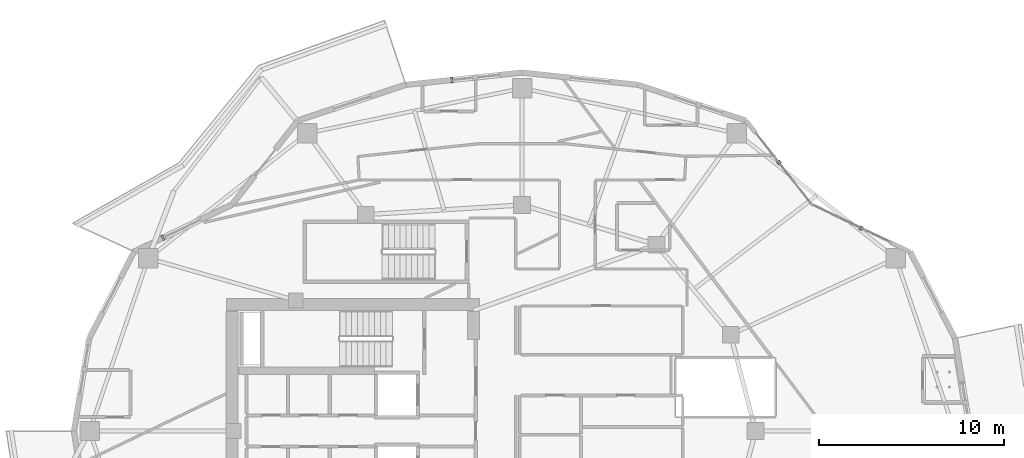
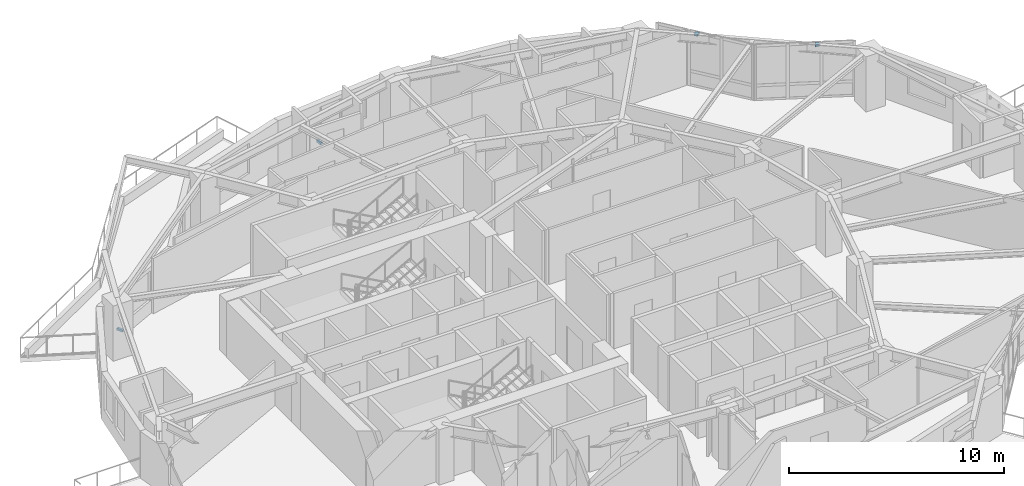
# One storey, part 15 of 19: 4 discrete accessories.
"""IFC4 building model written with IfcOpenShell, lengths in metres."""

from ifc_helpers import new_model, si_unit, direction, frame, origin, origin_2d, place, context, subcontext, project, spatial, rectangle, extrude, material, type_object, element, save


model = new_model("IFC4")

# Units and contexts
model_context = context("Model", 3, precision=1e-05, world=origin(), true_north=direction((0.0, 1.0)))
body_context = subcontext(model_context, "Body", "Model", "MODEL_VIEW")
ifc_project = project(units=[si_unit("LENGTHUNIT", "METRE"), si_unit("AREAUNIT", "SQUARE_METRE"), si_unit("VOLUMEUNIT", "CUBIC_METRE"), si_unit("PLANEANGLEUNIT", "RADIAN"), si_unit("MASSUNIT", "GRAM", prefix="KILO")], contexts=[model_context])

# Site, building, storey
site_placement = place(None, origin())
site = spatial("IfcSite", under=ifc_project, at=site_placement, CompositionType="ELEMENT")
building_placement = place(site_placement, origin())
building = spatial("IfcBuilding", under=site, at=building_placement, Name="Kolvaren Gate Tower and Convention Centre", CompositionType="ELEMENT")
storey_placement = place(building_placement, frame((0.0, 0.0, 122.300048828125)))
storey = spatial("IfcBuildingStorey", under=building, at=storey_placement, Name="L30", CompositionType="ELEMENT", Elevation=122.300048828125)

# Discrete accessories
ifc_material = material(Name="Anodized Architectural Aluminium Alloy 6063-T6", Category="aluminium")
discrete_accessory_type = type_object("IfcDiscreteAccessoryType", Name="ARCH-ACC-BRACKET-120", PredefinedType="BRACKET", material=ifc_material)
for number, where, z_axis, x_axis, name in (
    (1, (48.42041015625, 37.948974609375, 2.949951171875), (0.0, 0.0, 1.0), (0.901362925045, -0.433064518696, 0.0), "Solar Screen Spandrel Anchor Bracket BK-L30-02"),
    (2, (43.993896484375, 41.490234375, 2.949951171875), (0.0, 0.0, 1.0), (0.616424499081, -0.787414018756, 0.0), "Solar Screen Spandrel Anchor Bracket BK-L30-03"),
):
    element("IfcDiscreteAccessory", number, at=place(storey_placement, frame(where, z_axis=z_axis, x_axis=x_axis)), inside=storey, type_object=discrete_accessory_type, Name=name, PredefinedType="BRACKET", context=body_context, shape_type="SweptSolid", body=[
        extrude(rectangle(XDim=0.179931640625, YDim=0.219970703125, at=origin_2d()), origin(), (0.0, 0.0, 1.0), 0.1201171875),
    ])
for number, where, z_axis, x_axis, name in (
    (3, (26.341064453125, 45.951416015625, 0.289794921875), (0.0, 0.0, 1.0), (0.994499981166, 0.104736753152, 0.0), "Ceramic Fin Wall Anchor Bracket FBK-L30-06"),
    (4, (10.7392578125, 37.425048828125, 0.289794921875), (0.0, 0.0, 1.0), (0.901362925045, 0.433064518696, 0.0), "Ceramic Fin Wall Anchor Bracket FBK-L30-09"),
):
    element("IfcDiscreteAccessory", number, at=place(storey_placement, frame(where, z_axis=z_axis, x_axis=x_axis)), inside=storey, type_object=discrete_accessory_type, Name=name, PredefinedType="BRACKET", context=body_context, shape_type="SweptSolid", body=[
        extrude(rectangle(XDim=0.1201171875, YDim=0.320068359375, at=origin_2d()), origin(), (0.0, 0.0, 1.0), 0.1201171875),
    ])

save(model, "model.ifc")
